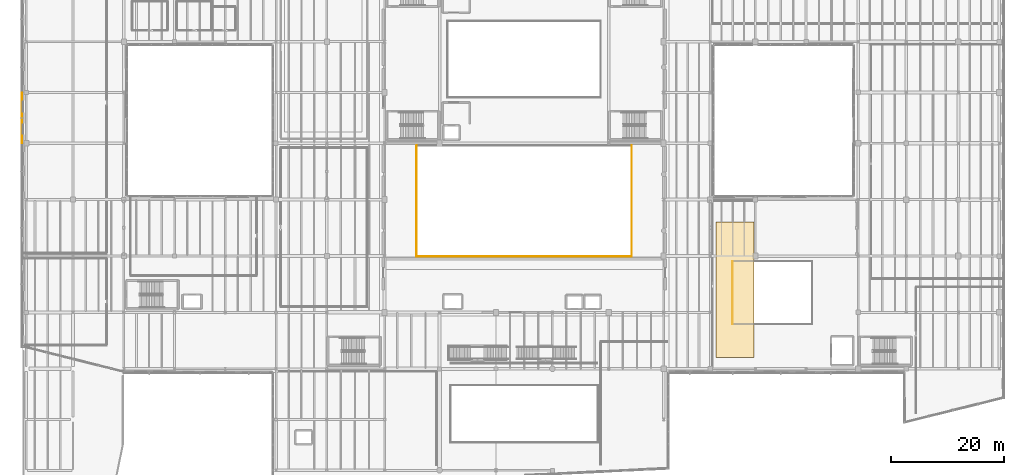
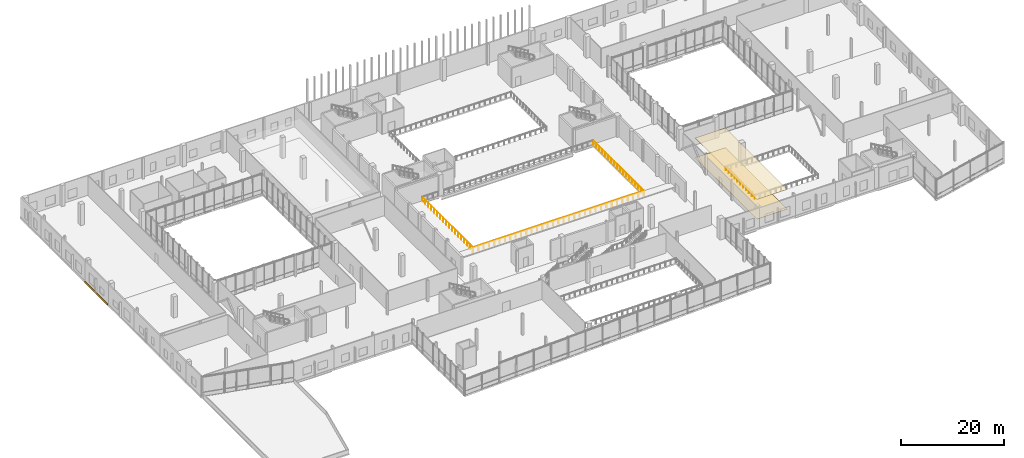
# One storey, part 72 of 81: 4 railings, 3 coverings.
"""IFC4 building model written with IfcOpenShell, lengths in metres."""

from ifc_helpers import new_model, si_unit, direction, frame, origin, origin_2d, place, context, subcontext, project, spatial, polyline, rectangle, circle, outline, extrude, material, layer, layer_set, type_object, element, save


model = new_model("IFC4")

# Units and contexts
model_context = context("Model", 3, precision=1e-05, world=origin(), true_north=direction((0.0, 1.0)))
body_context = subcontext(model_context, "Body", "Model", "MODEL_VIEW")
ifc_project = project(units=[si_unit("LENGTHUNIT", "METRE"), si_unit("AREAUNIT", "SQUARE_METRE"), si_unit("VOLUMEUNIT", "CUBIC_METRE"), si_unit("PLANEANGLEUNIT", "RADIAN"), si_unit("MASSUNIT", "GRAM", prefix="KILO")], contexts=[model_context])

# Site, building, storey
site_placement = place(None, origin())
site = spatial("IfcSite", under=ifc_project, at=site_placement, CompositionType="ELEMENT")
building_placement = place(site_placement, origin())
building = spatial("IfcBuilding", under=site, at=building_placement, Name="Trimount Lyric Opera House", CompositionType="ELEMENT")
storey_placement = place(building_placement, frame((0.0, 0.0, 5.0)))
storey = spatial("IfcBuildingStorey", under=building, at=storey_placement, Name="L01", CompositionType="ELEMENT", Elevation=5.0)

# Coverings
ifc_material_1 = material(Name="Acoustic Gypsum Suspended Ceiling")
ifc_layer_1 = layer(ifc_material_1, 0.030029296875)
ifc_layer_set_1 = layer_set([ifc_layer_1], Name="CEIL-GYP1")
covering_type_1 = type_object("IfcCoveringType", Name="CEIL-GYP1", PredefinedType="CEILING", material=ifc_layer_set_1)
covering_1_placement = place(storey_placement, frame((0.0, 0.0, 4.64990234375)))
element("IfcCovering", 1, at=covering_1_placement, inside=storey, type_object=covering_type_1, Name="Properties Workshop acoustic ceiling", PredefinedType="CEILING", context=body_context, shape_type="SweptSolid", body=[
    extrude(outline(polyline([(123.0, 46.0), (129.800048828125, 46.0), (129.800048828125, 70.0), (123.0, 70.0), (123.0, 46.0)])), origin(), (0.0, 0.0, 1.0), 0.030029296875),
])
ifc_material_2 = material(Name="Architectural Precast Concrete Spandrel Band", Category="concrete")
ifc_layer_2 = layer(ifc_material_2, 0.094970703125)
ifc_layer_set_2 = layer_set([ifc_layer_2], Name="CLD-WING1")
covering_type_2 = type_object("IfcCoveringType", Name="CLD-WING1", PredefinedType="CLADDING", material=ifc_layer_set_2)
covering_2_placement = place(storey_placement, frame((-0.04150390625, 88.5, -0.369873046875), z_axis=(0.0, 0.0, 1.0), x_axis=(0.0, 1.0, 0.0)))
element("IfcCovering", 2, at=covering_2_placement, inside=storey, type_object=covering_type_2, Name="L01 precast slab-edge spandrel 161", PredefinedType="CLADDING", context=body_context, shape_type="SweptSolid", body=[
    extrude(rectangle(XDim=8.93994140625, YDim=0.094970703125, at=origin_2d()), origin(), (0.0, 0.0, 1.0), 0.419921875),
])
ifc_material_3 = material(Name="Honed Granite Terrazzo Concourse Flooring", Category="masonry")
ifc_layer_3 = layer(ifc_material_3, 0.02490234375)
ifc_layer_set_3 = layer_set([ifc_layer_3], Name="FLR-TRZ1")
covering_type_3 = type_object("IfcCoveringType", Name="FLR-TRZ1", PredefinedType="FLOORING", material=ifc_layer_set_3)
covering_3_placement = place(storey_placement, origin())
element("IfcCovering", 3, at=covering_3_placement, inside=storey, type_object=covering_type_3, Name="Properties Workshop finish flooring", PredefinedType="FLOORING", context=body_context, shape_type="SweptSolid", body=[
    extrude(outline(polyline([(123.0, 46.0), (129.800048828125, 46.0), (129.800048828125, 70.0), (123.0, 70.0), (123.0, 46.0)])), origin(), (0.0, 0.0, 1.0), 0.02490234375),
])

# Railings
ifc_material_4 = material(Name="Bronze and Laminated Acoustic Glass", Category="glass")
railing_type_1 = type_object("IfcRailingType", Name="RL-BAL112", PredefinedType="BALUSTRADE", material=ifc_material_4)
railing_1_placement = place(storey_placement, frame((69.919921875, 63.919921875, 0.0)))
element("IfcRailing", 4, at=railing_1_placement, inside=storey, type_object=railing_type_1, Name="L01 atrium and balcony guard GRD-AUD-L01-S", PredefinedType="BALUSTRADE", context=body_context, shape_type="SweptSolid", body=[
    extrude(circle(Radius=0.02734375, at=origin_2d()), frame((0.0, 0.0, 1.0927734375), z_axis=(1.0, 0.0, 0.0), x_axis=(0.0, 1.0, 0.0)), (0.0, 0.0, 1.0), 38.16015625),
    extrude(circle(Radius=0.02099609375, at=origin_2d()), origin(), (0.0, 0.0, 1.0), 1.065185546875),
    extrude(circle(Radius=0.02099609375, at=origin_2d()), frame((1.1923828125, 0.0, 0.0)), (0.0, 0.0, 1.0), 1.065185546875),
    extrude(circle(Radius=0.02099609375, at=origin_2d()), frame((2.385009765625, 0.0, 0.0)), (0.0, 0.0, 1.0), 1.065185546875),
    extrude(circle(Radius=0.02099609375, at=origin_2d()), frame((3.57763671875, 0.0, 0.0)), (0.0, 0.0, 1.0), 1.065185546875),
    extrude(circle(Radius=0.02099609375, at=origin_2d()), frame((4.77001953125, 0.0, 0.0)), (0.0, 0.0, 1.0), 1.065185546875),
    extrude(circle(Radius=0.02099609375, at=origin_2d()), frame((5.96240234375, 0.0, 0.0)), (0.0, 0.0, 1.0), 1.065185546875),
    extrude(circle(Radius=0.02099609375, at=origin_2d()), frame((7.155029296875, 0.0, 0.0)), (0.0, 0.0, 1.0), 1.065185546875),
    extrude(circle(Radius=0.02099609375, at=origin_2d()), frame((8.34765625, 0.0, 0.0)), (0.0, 0.0, 1.0), 1.065185546875),
    extrude(circle(Radius=0.02099609375, at=origin_2d()), frame((9.5400390625, 0.0, 0.0)), (0.0, 0.0, 1.0), 1.065185546875),
    extrude(circle(Radius=0.02099609375, at=origin_2d()), frame((10.732421875, 0.0, 0.0)), (0.0, 0.0, 1.0), 1.065185546875),
    extrude(circle(Radius=0.02099609375, at=origin_2d()), frame((11.925048828125, 0.0, 0.0)), (0.0, 0.0, 1.0), 1.065185546875),
    extrude(circle(Radius=0.02099609375, at=origin_2d()), frame((13.11767578125, 0.0, 0.0)), (0.0, 0.0, 1.0), 1.065185546875),
    extrude(circle(Radius=0.02099609375, at=origin_2d()), frame((14.31005859375, 0.0, 0.0)), (0.0, 0.0, 1.0), 1.065185546875),
    extrude(circle(Radius=0.02099609375, at=origin_2d()), frame((15.50244140625, 0.0, 0.0)), (0.0, 0.0, 1.0), 1.065185546875),
    extrude(circle(Radius=0.02099609375, at=origin_2d()), frame((16.695068359375, 0.0, 0.0)), (0.0, 0.0, 1.0), 1.065185546875),
    extrude(circle(Radius=0.02099609375, at=origin_2d()), frame((17.8876953125, 0.0, 0.0)), (0.0, 0.0, 1.0), 1.065185546875),
    extrude(circle(Radius=0.02099609375, at=origin_2d()), frame((19.080078125, 0.0, 0.0)), (0.0, 0.0, 1.0), 1.065185546875),
    extrude(circle(Radius=0.02099609375, at=origin_2d()), frame((20.2724609375, 0.0, 0.0)), (0.0, 0.0, 1.0), 1.065185546875),
    extrude(circle(Radius=0.02099609375, at=origin_2d()), frame((21.465087890625, 0.0, 0.0)), (0.0, 0.0, 1.0), 1.065185546875),
    extrude(circle(Radius=0.02099609375, at=origin_2d()), frame((22.65771484375, 0.0, 0.0)), (0.0, 0.0, 1.0), 1.065185546875),
    extrude(circle(Radius=0.02099609375, at=origin_2d()), frame((23.85009765625, 0.0, 0.0)), (0.0, 0.0, 1.0), 1.065185546875),
    extrude(circle(Radius=0.02099609375, at=origin_2d()), frame((25.04248046875, 0.0, 0.0)), (0.0, 0.0, 1.0), 1.065185546875),
    extrude(circle(Radius=0.02099609375, at=origin_2d()), frame((26.235107421875, 0.0, 0.0)), (0.0, 0.0, 1.0), 1.065185546875),
    extrude(circle(Radius=0.02099609375, at=origin_2d()), frame((27.427734375, 0.0, 0.0)), (0.0, 0.0, 1.0), 1.065185546875),
    extrude(circle(Radius=0.02099609375, at=origin_2d()), frame((28.6201171875, 0.0, 0.0)), (0.0, 0.0, 1.0), 1.065185546875),
    extrude(circle(Radius=0.02099609375, at=origin_2d()), frame((29.8125, 0.0, 0.0)), (0.0, 0.0, 1.0), 1.065185546875),
    extrude(circle(Radius=0.02099609375, at=origin_2d()), frame((31.005126953125, 0.0, 0.0)), (0.0, 0.0, 1.0), 1.065185546875),
    extrude(circle(Radius=0.02099609375, at=origin_2d()), frame((32.19775390625, 0.0, 0.0)), (0.0, 0.0, 1.0), 1.065185546875),
    extrude(circle(Radius=0.02099609375, at=origin_2d()), frame((33.39013671875, 0.0, 0.0)), (0.0, 0.0, 1.0), 1.065185546875),
    extrude(circle(Radius=0.02099609375, at=origin_2d()), frame((34.58251953125, 0.0, 0.0)), (0.0, 0.0, 1.0), 1.065185546875),
    extrude(circle(Radius=0.02099609375, at=origin_2d()), frame((35.775146484375, 0.0, 0.0)), (0.0, 0.0, 1.0), 1.065185546875),
    extrude(circle(Radius=0.02099609375, at=origin_2d()), frame((36.9677734375, 0.0, 0.0)), (0.0, 0.0, 1.0), 1.065185546875),
    extrude(circle(Radius=0.02099609375, at=origin_2d()), frame((38.16015625, 0.0, 0.0)), (0.0, 0.0, 1.0), 1.065185546875),
])
railing_2_placement = place(storey_placement, frame((108.080078125, 63.919921875, 0.0)))
element("IfcRailing", 5, at=railing_2_placement, inside=storey, type_object=railing_type_1, Name="L01 atrium and balcony guard GRD-AUD-L01-E", PredefinedType="BALUSTRADE", context=body_context, shape_type="SweptSolid", body=[
    extrude(circle(Radius=0.02734375, at=origin_2d()), frame((0.0, 0.0, 1.0927734375), z_axis=(0.0, 1.0, 0.0), x_axis=(-1.0, 0.0, 0.0)), (0.0, 0.0, 1.0), 19.66015625),
    extrude(circle(Radius=0.02099609375, at=origin_2d()), origin(), (0.0, 0.0, 1.0), 1.065185546875),
    extrude(circle(Radius=0.02099609375, at=origin_2d()), frame((0.0, 1.156494140625, 0.0)), (0.0, 0.0, 1.0), 1.065185546875),
    extrude(circle(Radius=0.02099609375, at=origin_2d()), frame((0.0, 2.31298828125, 0.0)), (0.0, 0.0, 1.0), 1.065185546875),
    extrude(circle(Radius=0.02099609375, at=origin_2d()), frame((0.0, 3.469482421875, 0.0)), (0.0, 0.0, 1.0), 1.065185546875),
    extrude(circle(Radius=0.02099609375, at=origin_2d()), frame((0.0, 4.6259765625, 0.0)), (0.0, 0.0, 1.0), 1.065185546875),
    extrude(circle(Radius=0.02099609375, at=origin_2d()), frame((0.0, 5.782470703125, 0.0)), (0.0, 0.0, 1.0), 1.065185546875),
    extrude(circle(Radius=0.02099609375, at=origin_2d()), frame((0.0, 6.93896484375, 0.0)), (0.0, 0.0, 1.0), 1.065185546875),
    extrude(circle(Radius=0.02099609375, at=origin_2d()), frame((0.0, 8.095458984375, 0.0)), (0.0, 0.0, 1.0), 1.065185546875),
    extrude(circle(Radius=0.02099609375, at=origin_2d()), frame((0.0, 9.251953125, 0.0)), (0.0, 0.0, 1.0), 1.065185546875),
    extrude(circle(Radius=0.02099609375, at=origin_2d()), frame((0.0, 10.408203125, 0.0)), (0.0, 0.0, 1.0), 1.065185546875),
    extrude(circle(Radius=0.02099609375, at=origin_2d()), frame((0.0, 11.564697265625, 0.0)), (0.0, 0.0, 1.0), 1.065185546875),
    extrude(circle(Radius=0.02099609375, at=origin_2d()), frame((0.0, 12.72119140625, 0.0)), (0.0, 0.0, 1.0), 1.065185546875),
    extrude(circle(Radius=0.02099609375, at=origin_2d()), frame((0.0, 13.877685546875, 0.0)), (0.0, 0.0, 1.0), 1.065185546875),
    extrude(circle(Radius=0.02099609375, at=origin_2d()), frame((0.0, 15.0341796875, 0.0)), (0.0, 0.0, 1.0), 1.065185546875),
    extrude(circle(Radius=0.02099609375, at=origin_2d()), frame((0.0, 16.190673828125, 0.0)), (0.0, 0.0, 1.0), 1.065185546875),
    extrude(circle(Radius=0.02099609375, at=origin_2d()), frame((0.0, 17.34716796875, 0.0)), (0.0, 0.0, 1.0), 1.065185546875),
    extrude(circle(Radius=0.02099609375, at=origin_2d()), frame((0.0, 18.503662109375, 0.0)), (0.0, 0.0, 1.0), 1.065185546875),
    extrude(circle(Radius=0.02099609375, at=origin_2d()), frame((0.0, 19.66015625, 0.0)), (0.0, 0.0, 1.0), 1.065185546875),
])
railing_3_placement = place(storey_placement, frame((69.919921875, 83.580078125, 0.0)))
element("IfcRailing", 6, at=railing_3_placement, inside=storey, type_object=railing_type_1, Name="L01 atrium and balcony guard GRD-AUD-L01-W", PredefinedType="BALUSTRADE", context=body_context, shape_type="SweptSolid", body=[
    extrude(circle(Radius=0.02734375, at=origin_2d()), frame((0.0, 0.0, 1.0927734375), z_axis=(0.0, -1.0, 0.0), x_axis=(1.0, 0.0, 0.0)), (0.0, 0.0, 1.0), 19.66015625),
    extrude(circle(Radius=0.02099609375, at=origin_2d()), origin(), (0.0, 0.0, 1.0), 1.065185546875),
    extrude(circle(Radius=0.02099609375, at=origin_2d()), frame((0.0, -1.156494140625, 0.0)), (0.0, 0.0, 1.0), 1.065185546875),
    extrude(circle(Radius=0.02099609375, at=origin_2d()), frame((0.0, -2.31298828125, 0.0)), (0.0, 0.0, 1.0), 1.065185546875),
    extrude(circle(Radius=0.02099609375, at=origin_2d()), frame((0.0, -3.469482421875, 0.0)), (0.0, 0.0, 1.0), 1.065185546875),
    extrude(circle(Radius=0.02099609375, at=origin_2d()), frame((0.0, -4.6259765625, 0.0)), (0.0, 0.0, 1.0), 1.065185546875),
    extrude(circle(Radius=0.02099609375, at=origin_2d()), frame((0.0, -5.782470703125, 0.0)), (0.0, 0.0, 1.0), 1.065185546875),
    extrude(circle(Radius=0.02099609375, at=origin_2d()), frame((0.0, -6.93896484375, 0.0)), (0.0, 0.0, 1.0), 1.065185546875),
    extrude(circle(Radius=0.02099609375, at=origin_2d()), frame((0.0, -8.095458984375, 0.0)), (0.0, 0.0, 1.0), 1.065185546875),
    extrude(circle(Radius=0.02099609375, at=origin_2d()), frame((0.0, -9.251953125, 0.0)), (0.0, 0.0, 1.0), 1.065185546875),
    extrude(circle(Radius=0.02099609375, at=origin_2d()), frame((0.0, -10.408203125, 0.0)), (0.0, 0.0, 1.0), 1.065185546875),
    extrude(circle(Radius=0.02099609375, at=origin_2d()), frame((0.0, -11.564697265625, 0.0)), (0.0, 0.0, 1.0), 1.065185546875),
    extrude(circle(Radius=0.02099609375, at=origin_2d()), frame((0.0, -12.72119140625, 0.0)), (0.0, 0.0, 1.0), 1.065185546875),
    extrude(circle(Radius=0.02099609375, at=origin_2d()), frame((0.0, -13.877685546875, 0.0)), (0.0, 0.0, 1.0), 1.065185546875),
    extrude(circle(Radius=0.02099609375, at=origin_2d()), frame((0.0, -15.0341796875, 0.0)), (0.0, 0.0, 1.0), 1.065185546875),
    extrude(circle(Radius=0.02099609375, at=origin_2d()), frame((0.0, -16.190673828125, 0.0)), (0.0, 0.0, 1.0), 1.065185546875),
    extrude(circle(Radius=0.02099609375, at=origin_2d()), frame((0.0, -17.34716796875, 0.0)), (0.0, 0.0, 1.0), 1.065185546875),
    extrude(circle(Radius=0.02099609375, at=origin_2d()), frame((0.0, -18.503662109375, 0.0)), (0.0, 0.0, 1.0), 1.065185546875),
    extrude(circle(Radius=0.02099609375, at=origin_2d()), frame((0.0, -19.66015625, 0.0)), (0.0, 0.0, 1.0), 1.065185546875),
])
ifc_material_5 = material(Name="Brushed Stainless Steel 316", Category="steel")
railing_type_2 = type_object("IfcRailingType", Name="RL-GRD110", PredefinedType="GUARDRAIL", material=ifc_material_5)
railing_4_placement = place(storey_placement, frame((125.919921875, 63.080078125, 0.0)))
element("IfcRailing", 7, at=railing_4_placement, inside=storey, type_object=railing_type_2, Name="L01 atrium and balcony guard GRD-PF-L01-W", PredefinedType="GUARDRAIL", context=body_context, shape_type="SweptSolid", body=[
    extrude(circle(Radius=0.02392578125, at=origin_2d()), frame((0.0, 0.0, 1.076171875), z_axis=(0.0, -1.0, 0.0), x_axis=(1.0, 0.0, 0.0)), (0.0, 0.0, 1.0), 11.16015625),
    extrude(circle(Radius=0.02099609375, at=origin_2d()), origin(), (0.0, 0.0, 1.0), 1.052001953125),
    extrude(circle(Radius=0.02099609375, at=origin_2d()), frame((0.0, -1.115966796875, 0.0)), (0.0, 0.0, 1.0), 1.052001953125),
    extrude(circle(Radius=0.02099609375, at=origin_2d()), frame((0.0, -2.23193359375, 0.0)), (0.0, 0.0, 1.0), 1.052001953125),
    extrude(circle(Radius=0.02099609375, at=origin_2d()), frame((0.0, -3.34814453125, 0.0)), (0.0, 0.0, 1.0), 1.052001953125),
    extrude(circle(Radius=0.02099609375, at=origin_2d()), frame((0.0, -4.464111328125, 0.0)), (0.0, 0.0, 1.0), 1.052001953125),
    extrude(circle(Radius=0.02099609375, at=origin_2d()), frame((0.0, -5.580078125, 0.0)), (0.0, 0.0, 1.0), 1.052001953125),
    extrude(circle(Radius=0.02099609375, at=origin_2d()), frame((0.0, -6.696044921875, 0.0)), (0.0, 0.0, 1.0), 1.052001953125),
    extrude(circle(Radius=0.02099609375, at=origin_2d()), frame((0.0, -7.81201171875, 0.0)), (0.0, 0.0, 1.0), 1.052001953125),
    extrude(circle(Radius=0.02099609375, at=origin_2d()), frame((0.0, -8.92822265625, 0.0)), (0.0, 0.0, 1.0), 1.052001953125),
    extrude(circle(Radius=0.02099609375, at=origin_2d()), frame((0.0, -10.044189453125, 0.0)), (0.0, 0.0, 1.0), 1.052001953125),
    extrude(circle(Radius=0.02099609375, at=origin_2d()), frame((0.0, -11.16015625, 0.0)), (0.0, 0.0, 1.0), 1.052001953125),
])

save(model, "model.ifc")
